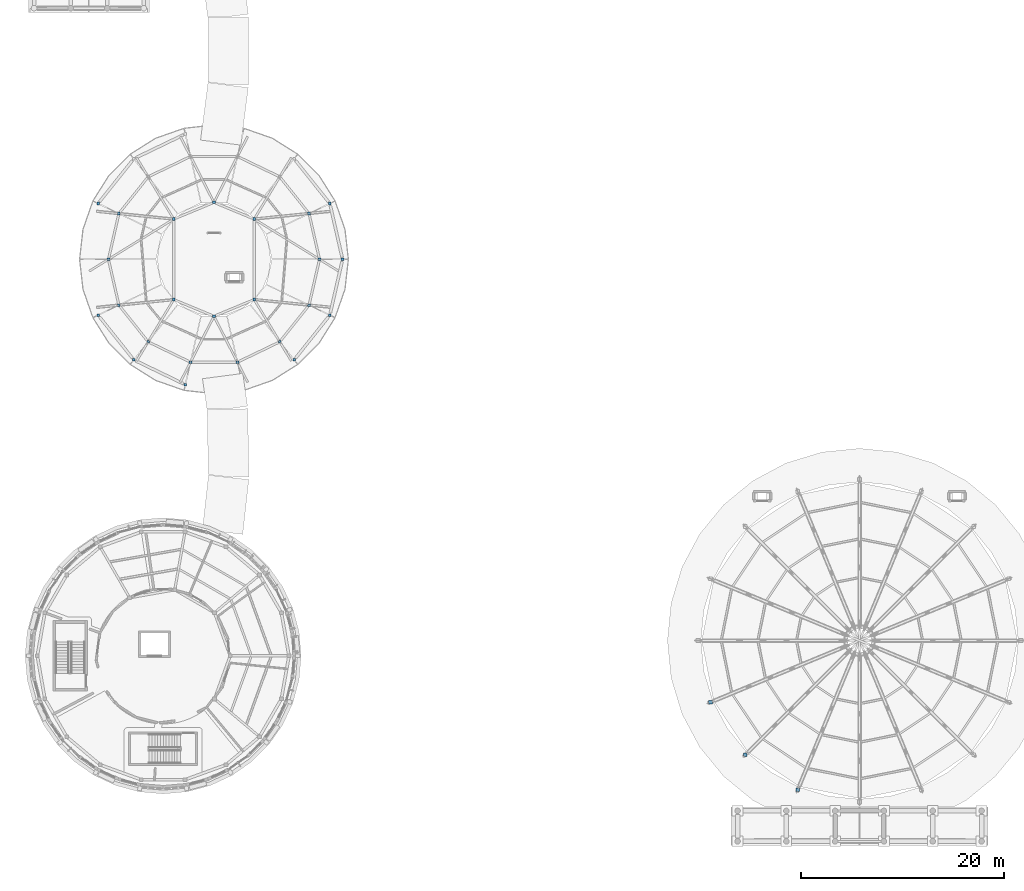
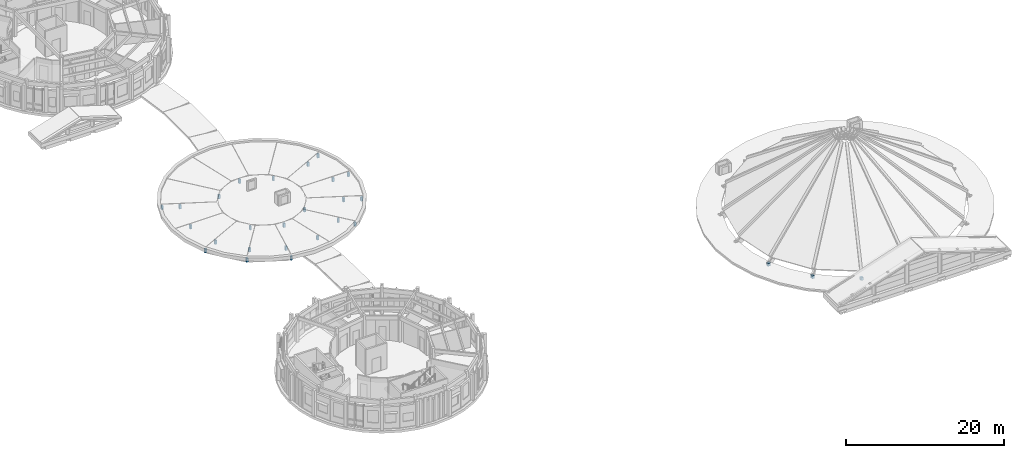
# One storey, part 4 of 58: 27 columns.
"""IFC4 building model written with IfcOpenShell, lengths in metres."""

from ifc_helpers import new_model, si_unit, direction, frame, origin, origin_2d, place, context, subcontext, project, spatial, rectangle, extrude, material, material_profile, profile_set, type_object, element, save


model = new_model("IFC4")

# Units and contexts
model_context = context("Model", 3, precision=1e-05, world=origin(), true_north=direction((0.0, 1.0)))
body_context = subcontext(model_context, "Body", "Model", "MODEL_VIEW")
ifc_project = project(units=[si_unit("LENGTHUNIT", "METRE"), si_unit("AREAUNIT", "SQUARE_METRE"), si_unit("VOLUMEUNIT", "CUBIC_METRE"), si_unit("PLANEANGLEUNIT", "RADIAN"), si_unit("MASSUNIT", "GRAM", prefix="KILO")], contexts=[model_context])

# Site, building, storey
site_placement = place(None, origin())
site = spatial("IfcSite", under=ifc_project, at=site_placement, CompositionType="ELEMENT")
building_placement = place(site_placement, origin())
building = spatial("IfcBuilding", under=site, at=building_placement, Name="Aldenvaro Health Centre", CompositionType="ELEMENT")
storey_placement = place(building_placement, frame((0.0, 0.0, 8.75)))
storey = spatial("IfcBuildingStorey", under=building, at=storey_placement, Name="L02", CompositionType="ELEMENT", Elevation=8.75)

# Columns
ifc_material = material(Name="Glulam GL28h", Category="wood")
ifc_material_profile_1 = material_profile(ifc_material, rectangle(XDim=0.264892578125, YDim=0.264892578125, at=origin_2d()), Name="GL 265x265", Category="wood")
ifc_profile_set_1 = profile_set([ifc_material_profile_1], Name="Glulam GL28h")
column_type_1 = type_object("IfcColumnType", Name="COL-GL-265", PredefinedType="COLUMN", material=ifc_profile_set_1)
for number, where, z_axis, x_axis, name in (
    (1, (27.4599609375, 61.4599609375, 0.0), (0.0, 0.0, 1.0), (1.0, 0.0, 0.0), "D3 Roof Hub Post 01"),
    (2, (23.5, 63.10009765625, 0.0), (0.0, 0.0, 1.0), (1.0, 0.0, 0.0), "D3 Roof Hub Post 02"),
    (3, (19.5400390625, 61.4599609375, 0.0), (0.0, 0.0, 1.0), (1.0, 0.0, 0.0), "D3 Roof Hub Post 03"),
    (4, (19.5400390625, 53.5400390625, 0.0), (0.0, 0.0, 1.0), (1.0, 0.0, 0.0), "D3 Roof Hub Post 04"),
    (5, (23.5, 51.89990234375, 0.0), (0.0, 0.0, 1.0), (1.0, 0.0, 0.0), "D3 Roof Hub Post 05"),
    (6, (27.4599609375, 53.5400390625, 0.0), (0.0, 0.0, 1.0), (1.0, 0.0, 0.0), "D3 Roof Hub Post 06"),
):
    element("IfcColumn", number, at=place(storey_placement, frame(where, z_axis=z_axis, x_axis=x_axis)), inside=storey, type_object=column_type_1, Name=name, PredefinedType="COLUMN", context=body_context, shape_type="SweptSolid", body=[
        extrude(rectangle(XDim=0.264892578125, YDim=0.264892578125, at=origin_2d()), origin(), (0.0, 0.0, 1.0), 0.6201171875),
    ])
ifc_material_profile_2 = material_profile(ifc_material, rectangle(XDim=0.264892578125, YDim=0.264892578125, at=origin_2d()), Name="GL 265x265", Category="wood")
ifc_profile_set_2 = profile_set([ifc_material_profile_2], Name="Glulam GL28h")
column_type_2 = type_object("IfcColumnType", Name="COL-GL-265E", PredefinedType="COLUMN", material=ifc_profile_set_2)
for number, where, z_axis, x_axis, name in (
    (7, (33.8798828125, 57.5, 0.0), (0.0, 0.0, 1.0), (1.0, 0.0, 0.0), "D3 Roof Eave Post 01"),
    (8, (32.85205078125, 62.00390625, 0.0), (0.0, 0.0, 1.0), (1.0, 0.0, 0.0), "D3 Roof Eave Post 02"),
    (9, (14.14794921875, 62.00390625, 0.0), (0.0, 0.0, 1.0), (1.0, 0.0, 0.0), "D3 Roof Eave Post 07"),
    (10, (13.1201171875, 57.5, 0.0), (0.0, 0.0, 1.0), (1.0, 0.0, 0.0), "D3 Roof Eave Post 08"),
    (11, (14.14794921875, 52.99609375, 0.0), (0.0, 0.0, 1.0), (1.0, 0.0, 0.0), "D3 Roof Eave Post 09"),
    (12, (17.028076171875, 49.385009765625, 0.0), (0.0, 0.0, 1.0), (1.0, 0.0, 0.0), "D3 Roof Eave Post 10"),
    (13, (21.18994140625, 47.3798828125, 0.0), (0.0, 0.0, 1.0), (1.0, 0.0, 0.0), "D3 Roof Eave Post 11"),
    (14, (25.81005859375, 47.3798828125, 0.0), (0.0, 0.0, 1.0), (1.0, 0.0, 0.0), "D3 Roof Eave Post 12"),
    (15, (29.971923828125, 49.385009765625, 0.0), (0.0, 0.0, 1.0), (1.0, 0.0, 0.0), "D3 Roof Eave Post 13"),
    (16, (32.85205078125, 52.99609375, 0.0), (0.0, 0.0, 1.0), (1.0, 0.0, 0.0), "D3 Roof Eave Post 14"),
    (17, (36.14990234375, 57.5, 0.0), (0.0, 0.0, 1.0), (1.0, 0.0, 0.0), "Garden Pavilion Peristyle Eave Post 01"),
    (18, (34.89697265625, 62.989013671875, 0.0), (0.0, 0.0, 1.0), (1.0, 0.0, 0.0), "Garden Pavilion Peristyle Eave Post 02"),
    (19, (12.10302734375, 62.989013671875, 0.0), (0.0, 0.0, 1.0), (1.0, 0.0, 0.0), "Garden Pavilion Peristyle Eave Post 07"),
    (20, (12.10302734375, 52.010986328125, 0.0), (0.0, 0.0, 1.0), (1.0, 0.0, 0.0), "Garden Pavilion Peristyle Eave Post 09"),
    (21, (15.613037109375, 47.610107421875, 0.0), (0.0, 0.0, 1.0), (1.0, 0.0, 0.0), "Garden Pavilion Peristyle Eave Post 10"),
    (22, (20.68505859375, 45.1669921875, 0.0), (0.0, 0.0, 1.0), (1.0, 0.0, 0.0), "Garden Pavilion Peristyle Eave Post 11"),
    (23, (31.386962890625, 47.610107421875, 0.0), (0.0, 0.0, 1.0), (1.0, 0.0, 0.0), "Garden Pavilion Peristyle Eave Post 13"),
    (24, (34.89697265625, 52.010986328125, 0.0), (0.0, 0.0, 1.0), (1.0, 0.0, 0.0), "Garden Pavilion Peristyle Eave Post 14"),
):
    element("IfcColumn", number, at=place(storey_placement, frame(where, z_axis=z_axis, x_axis=x_axis)), inside=storey, type_object=column_type_2, Name=name, PredefinedType="COLUMN", context=body_context, shape_type="SweptSolid", body=[
        extrude(rectangle(XDim=0.264892578125, YDim=0.264892578125, at=origin_2d()), origin(), (0.0, 0.0, 1.0), 0.6201171875),
    ])
ifc_material_profile_3 = material_profile(ifc_material, rectangle(XDim=0.364990234375, YDim=0.364990234375, at=origin_2d()), Name="GL 365x365", Category="wood")
ifc_profile_set_3 = profile_set([ifc_material_profile_3], Name="Glulam GL28h")
column_type_3 = type_object("IfcColumnType", Name="COL-GL-365", PredefinedType="COLUMN", material=ifc_profile_set_3)
for number, where, z_axis, x_axis, name in (
    (25, (72.3291015625, 13.923095703125, 0.0), (0.0, 0.0, 1.0), (1.0, 0.0, 0.0), "Waiting Hall Roof Truss Heel Post 10"),
    (26, (75.77099609375, 8.77099609375, 0.0), (0.0, 0.0, 1.0), (1.0, 0.0, 0.0), "Waiting Hall Roof Truss Heel Post 11"),
    (27, (80.923095703125, 5.3291015625, 0.0), (0.0, 0.0, 1.0), (1.0, 0.0, 0.0), "Waiting Hall Roof Truss Heel Post 12"),
):
    element("IfcColumn", number, at=place(storey_placement, frame(where, z_axis=z_axis, x_axis=x_axis)), inside=storey, type_object=column_type_3, Name=name, PredefinedType="COLUMN", context=body_context, shape_type="SweptSolid", body=[
        extrude(rectangle(XDim=0.364990234375, YDim=0.364990234375, at=origin_2d()), origin(), (0.0, 0.0, 1.0), 0.449951171875),
    ])

save(model, "model.ifc")
